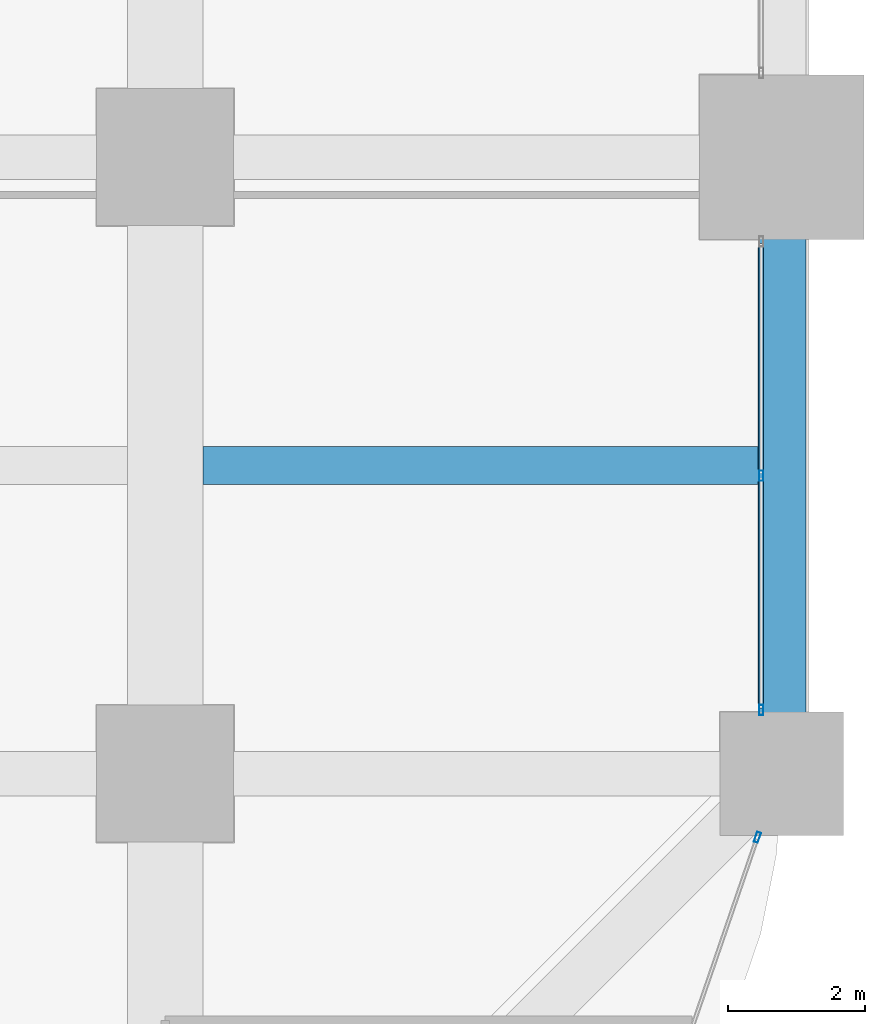
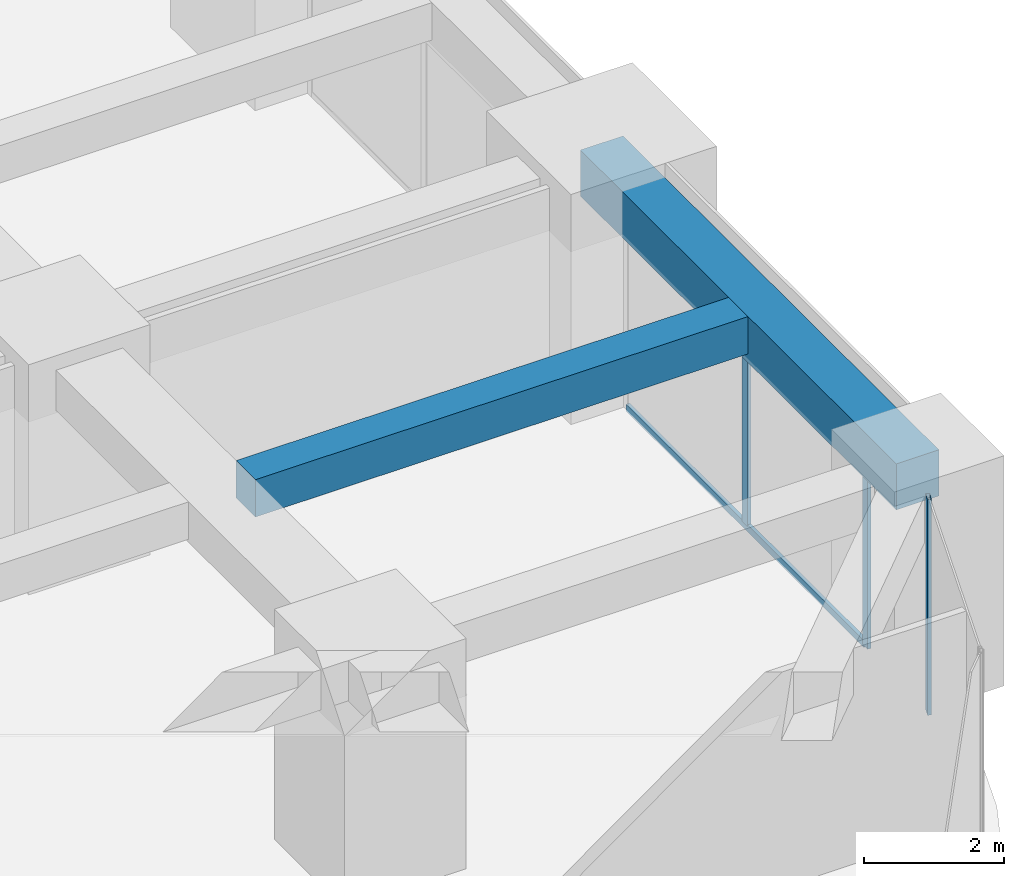
# One storey, part 19 of 39: 4 members, 2 beams, 2 elements without a shape of their own.
"""IFC4 building model written with IfcOpenShell, lengths in metres."""

from ifc_helpers import new_model, si_unit, direction, frame, origin, origin_2d, place, context, subcontext, project, spatial, rectangle, hollow_rectangle, extrude, material, material_profile, profile_set, type_object, element, aggregate, save


model = new_model("IFC4")

# Units and contexts
model_context = context("Model", 3, precision=1e-05, world=origin(), true_north=direction((0.0, 1.0)))
body_context = subcontext(model_context, "Body", "Model", "MODEL_VIEW")
ifc_project = project(units=[si_unit("LENGTHUNIT", "METRE"), si_unit("AREAUNIT", "SQUARE_METRE"), si_unit("VOLUMEUNIT", "CUBIC_METRE"), si_unit("PLANEANGLEUNIT", "RADIAN"), si_unit("MASSUNIT", "GRAM", prefix="KILO")], contexts=[model_context])

# Site, building, storey
site_placement = place(None, origin())
site = spatial("IfcSite", under=ifc_project, at=site_placement, CompositionType="ELEMENT")
building_placement = place(site_placement, origin())
building = spatial("IfcBuilding", under=site, at=building_placement, Name="Zorevar Civic Tower", CompositionType="ELEMENT")
storey_placement = place(building_placement, frame((0.0, 0.0, 121.0)))
storey = spatial("IfcBuildingStorey", under=building, at=storey_placement, Name="L29", CompositionType="ELEMENT", Elevation=121.0)

# Beam
ifc_material_1 = material(Name="Concrete C50/60", Category="concrete")
ifc_material_profile_1 = material_profile(ifc_material_1, rectangle(XDim=0.550048828125, YDim=0.64990234375, at=origin_2d()), Name="RC 550x650")
ifc_profile_set_1 = profile_set([ifc_material_profile_1], Name="Concrete C50/60")
beam_type_1 = type_object("IfcBeamType", Name="Beam RC 550x650", PredefinedType="BEAM", material=ifc_profile_set_1)
beam_1_placement = place(storey_placement, frame((54.550048828125, 13.5, 3.425048828125), z_axis=(1.0, 0.0, 0.0), x_axis=(0.0, 1.0, 0.0)))
element("IfcBeam", 1, at=beam_1_placement, inside=storey, type_object=beam_type_1, Name="Secondary beam L30", PredefinedType="BEAM", context=body_context, shape_type="SweptSolid", body=[
    extrude(rectangle(XDim=0.550048828125, YDim=0.64990234375, at=origin_2d()), origin(), (0.0, 0.0, 1.0), 8.099853515625),
])

# Curtain wall, members
ifc_material_2 = material(Name="Dark grey solar-control glass in black aluminium frame", Category="aluminium")
curtain_wall_type = type_object("IfcCurtainWallType", Name="Curtain wall CW3 mid zone", PredefinedType="NOTDEFINED", material=ifc_material_2)
curtain_wall_1_placement = place(storey_placement, origin())
curtain_wall_1 = element("IfcCurtainWall", 2, at=curtain_wall_1_placement, inside=storey, type_object=curtain_wall_type, Name="CW3 L29", PredefinedType="NOTDEFINED")
ifc_material_3 = material(Name="Aluminium, black anodised", Category="aluminium")
ifc_material_profile_2 = material_profile(ifc_material_3, hollow_rectangle(XDim=0.06005859375, YDim=0.14990234375, WallThickness=0.00390625, at=origin_2d()), Name="AL 150x60x4")
ifc_profile_set_2 = profile_set([ifc_material_profile_2], Name="Aluminium, black anodised")
member_type_1 = type_object("IfcMemberType", Name="CW3 mullion AL 150x60x4", PredefinedType="MULLION", material=ifc_profile_set_2)
member_1_placement = place(storey_placement, frame((62.699951171875, 9.929931640625, 0.0), z_axis=(0.0, 0.0, 1.0), x_axis=(-1.0, 0.0, 0.0)))
member_1 = element("IfcMember", 3, at=member_1_placement, type_object=member_type_1, Name="CW3 mullion 1", PredefinedType="MULLION", context=body_context, shape_type="SweptSolid", body=[
    extrude(hollow_rectangle(XDim=0.06005859375, YDim=0.14990234375, WallThickness=0.00390625, at=origin_2d()), origin(), (0.0, 0.0, 1.0), 2.949951171875),
])
member_2_placement = place(storey_placement, frame((62.699951171875, 13.35009765625, 0.06005859375), z_axis=(0.0, 0.0, 1.0), x_axis=(-1.0, 0.0, 0.0)))
member_2 = element("IfcMember", 4, at=member_2_placement, type_object=member_type_1, Name="CW3 mullion 2", PredefinedType="MULLION", context=body_context, shape_type="SweptSolid", body=[
    extrude(hollow_rectangle(XDim=0.06005859375, YDim=0.14990234375, WallThickness=0.00390625, at=origin_2d()), origin(), (0.0, 0.0, 1.0), 2.889892578125),
])

# Curtain wall, member
curtain_wall_2_placement = place(storey_placement, origin())
curtain_wall_2 = element("IfcCurtainWall", 5, at=curtain_wall_2_placement, inside=storey, type_object=curtain_wall_type, Name="CW3 L29", PredefinedType="NOTDEFINED")
member_3_placement = place(storey_placement, frame((62.6435546875, 8.071533203125, 0.0), z_axis=(0.0, 0.0, 1.0), x_axis=(-0.945755772794, 0.324878466857, 0.0)))
member_3 = element("IfcMember", 6, at=member_3_placement, type_object=member_type_1, Name="CW3 mullion 2", PredefinedType="MULLION", context=body_context, shape_type="SweptSolid", body=[
    extrude(hollow_rectangle(XDim=0.06005859375, YDim=0.14990234375, WallThickness=0.00390625, at=origin_2d()), origin(), (0.0, 0.0, 1.0), 3.75),
])
aggregate(curtain_wall_2, [member_3])

# Member
ifc_material_4 = material(Name="Aluminium, black anodised", Category="aluminium")
ifc_material_profile_3 = material_profile(ifc_material_4, hollow_rectangle(XDim=0.06005859375, YDim=0.1201171875, WallThickness=0.0029296875, at=origin_2d()), Name="AL 120x60x3")
ifc_profile_set_3 = profile_set([ifc_material_profile_3], Name="Aluminium, black anodised")
member_type_2 = type_object("IfcMemberType", Name="CW3 transom AL 120x60x3", PredefinedType="USERDEFINED", material=ifc_profile_set_3)
member_4_placement = place(storey_placement, frame((62.699951171875, 9.9599609375, 0.030029296875), z_axis=(0.0, 1.0, 0.0), x_axis=(-1.0, 0.0, 0.0)))
member_4 = element("IfcMember", 7, at=member_4_placement, type_object=member_type_2, Name="CW3 sill transom", ObjectType="TRANSOM", PredefinedType="USERDEFINED", context=body_context, shape_type="SweptSolid", body=[
    extrude(hollow_rectangle(XDim=0.06005859375, YDim=0.1201171875, WallThickness=0.0029296875, at=origin_2d()), origin(), (0.0, 0.0, 1.0), 6.780029296875),
])

aggregate(curtain_wall_1, [member_1, member_2, member_4])

# Beam
ifc_material_5 = material(Name="Concrete C50/60", Category="concrete")
ifc_material_profile_4 = material_profile(ifc_material_5, rectangle(XDim=0.699951171875, YDim=0.800048828125, at=origin_2d()), Name="RC 700x800")
ifc_profile_set_4 = profile_set([ifc_material_profile_4], Name="Concrete C50/60")
beam_type_2 = type_object("IfcBeamType", Name="Edge beam RC 700x800", PredefinedType="SPANDREL", material=ifc_profile_set_4)
beam_2_placement = place(storey_placement, frame((63.0, 9.0, 3.35009765625), z_axis=(0.0, 1.0, 0.0), x_axis=(-1.0, 0.0, 0.0)))
element("IfcBeam", 8, at=beam_2_placement, inside=storey, type_object=beam_type_2, Name="Edge beam L30", PredefinedType="SPANDREL", context=body_context, shape_type="SweptSolid", body=[
    extrude(rectangle(XDim=0.699951171875, YDim=0.800048828125, at=origin_2d()), origin(), (0.0, 0.0, 1.0), 9.0),
])

save(model, "model.ifc")
